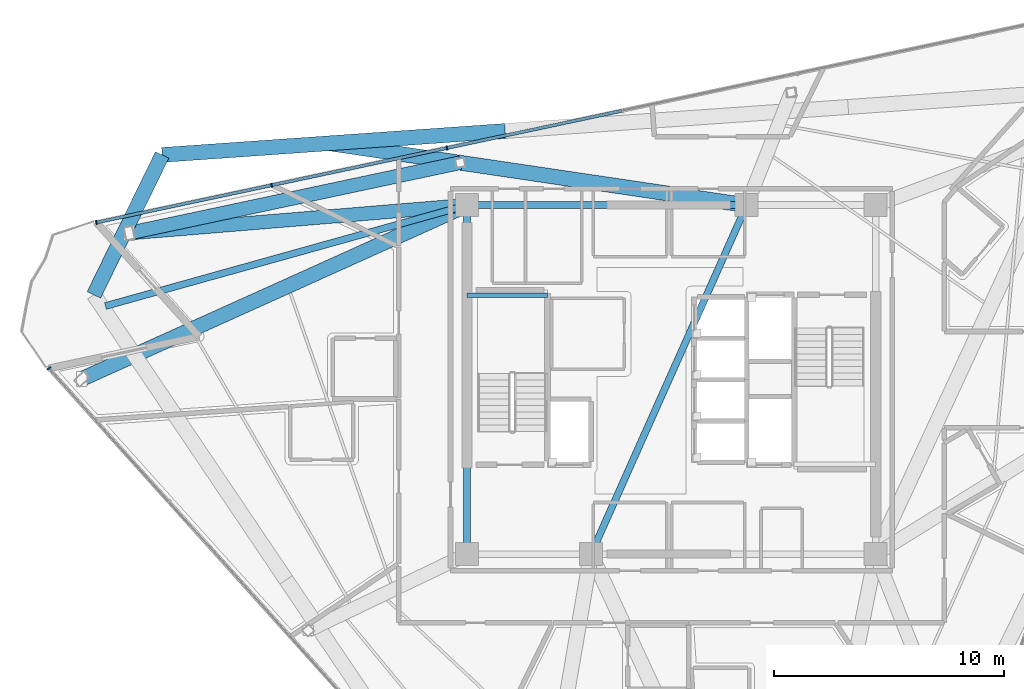
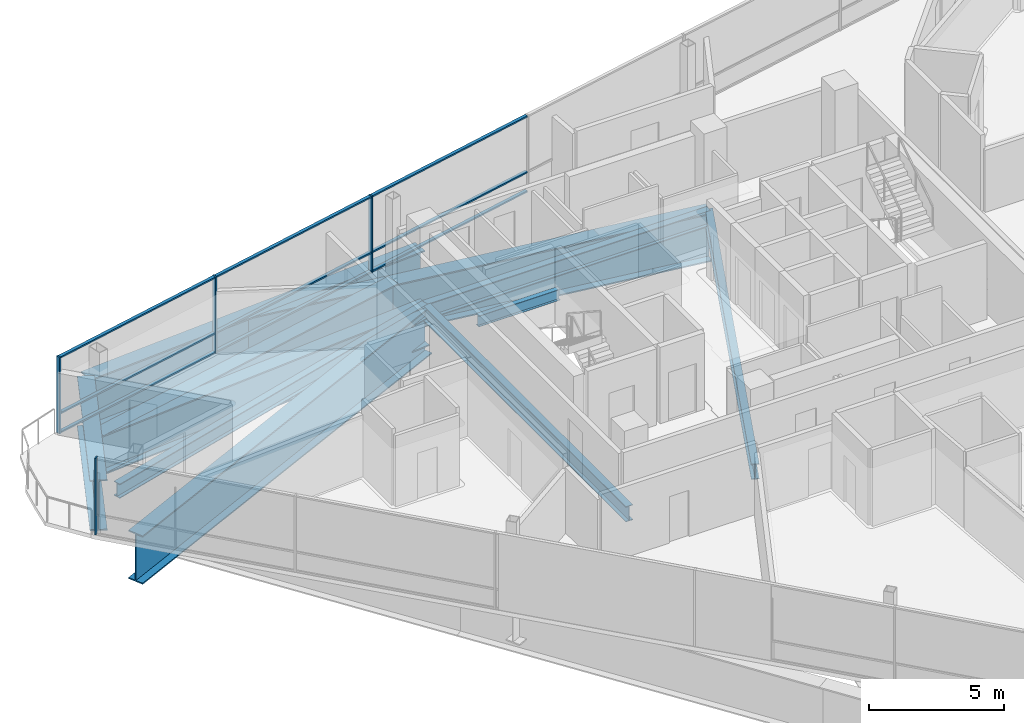
# One storey, part 6 of 18: 13 members, 11 beams, 2 elements without a shape of their own.
"""IFC4 building model written with IfcOpenShell, lengths in metres."""

from ifc_helpers import new_model, si_unit, direction, frame, origin, origin_2d, place, context, subcontext, project, spatial, rectangle, i_section, extrude, material, layer, layer_set, material_profile, profile_set, type_object, element, aggregate, save


model = new_model("IFC4")

# Units and contexts
model_context = context("Model", 3, precision=1e-05, world=origin(), true_north=direction((0.0, 1.0)))
body_context = subcontext(model_context, "Body", "Model", "MODEL_VIEW")
ifc_project = project(units=[si_unit("LENGTHUNIT", "METRE"), si_unit("AREAUNIT", "SQUARE_METRE"), si_unit("VOLUMEUNIT", "CUBIC_METRE"), si_unit("PLANEANGLEUNIT", "RADIAN"), si_unit("MASSUNIT", "GRAM", prefix="KILO")], contexts=[model_context])

# Site, building, storey
site_placement = place(None, origin())
site = spatial("IfcSite", under=ifc_project, at=site_placement, CompositionType="ELEMENT")
building_placement = place(site_placement, origin())
building = spatial("IfcBuilding", under=site, at=building_placement, Name="Tharavind Bronze Gate", CompositionType="ELEMENT")
storey_placement = place(building_placement, frame((0.0, 0.0, 279.75)))
storey = spatial("IfcBuildingStorey", under=building, at=storey_placement, Name="L72", CompositionType="ELEMENT", Elevation=279.75)

# Curtain wall, member
ifc_material_1 = material(Name="Anodised Bronze Aluminium", Category="aluminium")
ifc_layer = layer(ifc_material_1, 0.219970703125)
ifc_layer_set = layer_set([ifc_layer], Name="Anodised Bronze Aluminium")
curtain_wall_type = type_object("IfcCurtainWallType", Name="UNITISED CURTAIN WALL CROWN", PredefinedType="USERDEFINED", material=ifc_layer_set)
curtain_wall_1_placement = place(storey_placement, origin())
curtain_wall_1 = element("IfcCurtainWall", 1, at=curtain_wall_1_placement, inside=storey, type_object=curtain_wall_type, Name="L72 unitised curtain wall crown CW-L72-S1", ObjectType="UNITISED CURTAIN WALL", PredefinedType="USERDEFINED")
member_type_1 = type_object("IfcMemberType", Name="CURTAIN WALL BRONZE MULLION 65X180", PredefinedType="MULLION", material=ifc_material_1)
member_1_placement = place(storey_placement, frame((-27.105224609375, 0.4951171875, 0.0), z_axis=(0.0, 0.0, 1.0), x_axis=(0.669130606359, -0.743144825477, 0.0)))
member_1 = element("IfcMember", 2, at=member_1_placement, type_object=member_type_1, Name="CW-L72-S1 mullion 1", PredefinedType="MULLION", context=body_context, shape_type="SweptSolid", body=[
    extrude(rectangle(XDim=0.06494140625, YDim=0.179931640625, at=origin_2d()), origin(), (0.0, 0.0, 1.0), 3.465087890625),
])
aggregate(curtain_wall_1, [member_1])

# Curtain wall, members
curtain_wall_2_placement = place(storey_placement, origin())
curtain_wall_2 = element("IfcCurtainWall", 3, at=curtain_wall_2_placement, inside=storey, type_object=curtain_wall_type, Name="L72 unitised curtain wall crown CW-L72-S3", ObjectType="UNITISED CURTAIN WALL", PredefinedType="USERDEFINED")
member_2_placement = place(storey_placement, frame((-9.776611328125, 10.0927734375, 0.0), z_axis=(0.0, 0.0, 1.0), x_axis=(-0.978147237858, -0.207913398007, 0.0)))
member_2 = element("IfcMember", 4, at=member_2_placement, type_object=member_type_1, Name="CW-L72-S3 mullion 5", PredefinedType="MULLION", context=body_context, shape_type="SweptSolid", body=[
    extrude(rectangle(XDim=0.06494140625, YDim=0.179931640625, at=origin_2d()), origin(), (0.0, 0.0, 1.0), 3.465087890625),
])
member_3_placement = place(storey_placement, frame((-17.408935546875, 8.470458984375, 0.0), z_axis=(0.0, 0.0, 1.0), x_axis=(-0.978147237858, -0.207913398007, 0.0)))
member_3 = element("IfcMember", 5, at=member_3_placement, type_object=member_type_1, Name="CW-L72-S3 mullion 6", PredefinedType="MULLION", context=body_context, shape_type="SweptSolid", body=[
    extrude(rectangle(XDim=0.06494140625, YDim=0.179931640625, at=origin_2d()), origin(), (0.0, 0.0, 1.0), 3.465087890625),
])
member_4_placement = place(storey_placement, frame((-25.041015625, 6.84814453125, 0.0), z_axis=(0.0, 0.0, 1.0), x_axis=(-0.978147237858, -0.207913398007, 0.0)))
member_4 = element("IfcMember", 6, at=member_4_placement, type_object=member_type_1, Name="CW-L72-S3 mullion 7", PredefinedType="MULLION", context=body_context, shape_type="SweptSolid", body=[
    extrude(rectangle(XDim=0.06494140625, YDim=0.179931640625, at=origin_2d()), origin(), (0.0, 0.0, 1.0), 3.465087890625),
])
member_type_2 = type_object("IfcMemberType", Name="CURTAIN WALL BRONZE TRANSOM 65X140", PredefinedType="USERDEFINED", material=ifc_material_1)
member_5_placement = place(storey_placement, frame((-5.960693359375, 10.90380859375, 0.0), z_axis=(0.0, 0.0, 1.0), x_axis=(-0.978147237858, -0.207913398007, 0.0)))
member_5 = element("IfcMember", 7, at=member_5_placement, type_object=member_type_2, Name="CW-L72-S3 transom TB4", ObjectType="TRANSOM", PredefinedType="USERDEFINED", context=body_context, shape_type="SweptSolid", body=[
    extrude(rectangle(XDim=7.749755859375, YDim=0.139892578125, at=origin_2d()), origin(), (0.0, 0.0, 1.0), 0.06494140625),
])
member_6_placement = place(storey_placement, frame((-5.960693359375, 10.90380859375, 0.867431640625), z_axis=(0.0, 0.0, 1.0), x_axis=(-0.978147237858, -0.207913398007, 0.0)))
member_6 = element("IfcMember", 8, at=member_6_placement, type_object=member_type_2, Name="CW-L72-S3 transom TS4", ObjectType="TRANSOM", PredefinedType="USERDEFINED", context=body_context, shape_type="SweptSolid", body=[
    extrude(rectangle(XDim=7.749755859375, YDim=0.139892578125, at=origin_2d()), origin(), (0.0, 0.0, 1.0), 0.06494140625),
])
member_7_placement = place(storey_placement, frame((-5.960693359375, 10.90380859375, 3.400146484375), z_axis=(0.0, 0.0, 1.0), x_axis=(-0.978147237858, -0.207913398007, 0.0)))
member_7 = element("IfcMember", 9, at=member_7_placement, type_object=member_type_2, Name="CW-L72-S3 transom TT4", ObjectType="TRANSOM", PredefinedType="USERDEFINED", context=body_context, shape_type="SweptSolid", body=[
    extrude(rectangle(XDim=7.749755859375, YDim=0.139892578125, at=origin_2d()), origin(), (0.0, 0.0, 1.0), 0.06494140625),
])
member_8_placement = place(storey_placement, frame((-13.5927734375, 9.281494140625, 0.0), z_axis=(0.0, 0.0, 1.0), x_axis=(-0.978147237858, -0.207913398007, 0.0)))
member_8 = element("IfcMember", 10, at=member_8_placement, type_object=member_type_2, Name="CW-L72-S3 transom TB5", ObjectType="TRANSOM", PredefinedType="USERDEFINED", context=body_context, shape_type="SweptSolid", body=[
    extrude(rectangle(XDim=7.749755859375, YDim=0.139892578125, at=origin_2d()), origin(), (0.0, 0.0, 1.0), 0.06494140625),
])
member_9_placement = place(storey_placement, frame((-13.5927734375, 9.281494140625, 0.867431640625), z_axis=(0.0, 0.0, 1.0), x_axis=(-0.978147237858, -0.207913398007, 0.0)))
member_9 = element("IfcMember", 11, at=member_9_placement, type_object=member_type_2, Name="CW-L72-S3 transom TS5", ObjectType="TRANSOM", PredefinedType="USERDEFINED", context=body_context, shape_type="SweptSolid", body=[
    extrude(rectangle(XDim=7.749755859375, YDim=0.139892578125, at=origin_2d()), origin(), (0.0, 0.0, 1.0), 0.06494140625),
])
member_10_placement = place(storey_placement, frame((-13.5927734375, 9.281494140625, 3.400146484375), z_axis=(0.0, 0.0, 1.0), x_axis=(-0.978147237858, -0.207913398007, 0.0)))
member_10 = element("IfcMember", 12, at=member_10_placement, type_object=member_type_2, Name="CW-L72-S3 transom TT5", ObjectType="TRANSOM", PredefinedType="USERDEFINED", context=body_context, shape_type="SweptSolid", body=[
    extrude(rectangle(XDim=7.749755859375, YDim=0.139892578125, at=origin_2d()), origin(), (0.0, 0.0, 1.0), 0.06494140625),
])
member_11_placement = place(storey_placement, frame((-21.22509765625, 7.6591796875, 0.0), z_axis=(0.0, 0.0, 1.0), x_axis=(-0.978147237858, -0.207913398007, 0.0)))
member_11 = element("IfcMember", 13, at=member_11_placement, type_object=member_type_2, Name="CW-L72-S3 transom TB6", ObjectType="TRANSOM", PredefinedType="USERDEFINED", context=body_context, shape_type="SweptSolid", body=[
    extrude(rectangle(XDim=7.749755859375, YDim=0.139892578125, at=origin_2d()), origin(), (0.0, 0.0, 1.0), 0.06494140625),
])
member_12_placement = place(storey_placement, frame((-21.22509765625, 7.6591796875, 0.867431640625), z_axis=(0.0, 0.0, 1.0), x_axis=(-0.978147237858, -0.207913398007, 0.0)))
member_12 = element("IfcMember", 14, at=member_12_placement, type_object=member_type_2, Name="CW-L72-S3 transom TS6", ObjectType="TRANSOM", PredefinedType="USERDEFINED", context=body_context, shape_type="SweptSolid", body=[
    extrude(rectangle(XDim=7.749755859375, YDim=0.139892578125, at=origin_2d()), origin(), (0.0, 0.0, 1.0), 0.06494140625),
])
member_13_placement = place(storey_placement, frame((-21.22509765625, 7.6591796875, 3.400146484375), z_axis=(0.0, 0.0, 1.0), x_axis=(-0.978147237858, -0.207913398007, 0.0)))
member_13 = element("IfcMember", 15, at=member_13_placement, type_object=member_type_2, Name="CW-L72-S3 transom TT6", ObjectType="TRANSOM", PredefinedType="USERDEFINED", context=body_context, shape_type="SweptSolid", body=[
    extrude(rectangle(XDim=7.749755859375, YDim=0.139892578125, at=origin_2d()), origin(), (0.0, 0.0, 1.0), 0.06494140625),
])
aggregate(curtain_wall_2, [member_2, member_3, member_4, member_5, member_6, member_7, member_8, member_9, member_10, member_11, member_12, member_13])

# Beams
ifc_material_2 = material(Name="Steel S355", Category="steel")
ifc_material_profile_1 = material_profile(ifc_material_2, i_section(OverallWidth=0.300048828125, OverallDepth=0.64990234375, WebThickness=0.01611328125, FlangeThickness=0.031005859375, at=origin_2d()), Name="HE650B")
ifc_profile_set_1 = profile_set([ifc_material_profile_1], Name="Steel S355")
beam_type_1 = type_object("IfcBeamType", Name="PRIMARY GIRDER HE650B", PredefinedType="USERDEFINED", material=ifc_profile_set_1)
beam_1_placement = place(storey_placement, frame((-8.89990234375, 7.60009765625, -0.514892578125), z_axis=(-0.963236664958, -0.268654289527, 0.0), x_axis=(0.268654289527, -0.963236664958, 0.0)))
element("IfcBeam", 16, at=beam_1_placement, inside=storey, type_object=beam_type_1, Name="L72 primary girder he650b BM-L72-BLCSB", ObjectType="GIRDER", PredefinedType="USERDEFINED", context=body_context, shape_type="SweptSolid", body=[
    extrude(i_section(OverallWidth=0.300048828125, OverallDepth=0.64990234375, WebThickness=0.01611328125, FlangeThickness=0.031005859375, at=origin_2d()), origin(), (0.0, 0.0, 1.0), 16.34765625),
])
ifc_material_profile_2 = material_profile(ifc_material_2, i_section(OverallWidth=0.199951171875, OverallDepth=0.5, WebThickness=0.01025390625, FlangeThickness=0.01611328125, at=origin_2d()), Name="IPE500")
ifc_profile_set_2 = profile_set([ifc_material_profile_2], Name="Steel S355")
beam_type_2 = type_object("IfcBeamType", Name="PRIMARY GIRDER IPE500", PredefinedType="USERDEFINED", material=ifc_profile_set_2)
beam_2_placement = place(storey_placement, frame((-8.89990234375, 3.679931640625, 1.375), z_axis=(1.0, 0.0, 0.0), x_axis=(0.0, 1.0, 0.0)))
element("IfcBeam", 17, at=beam_2_placement, inside=storey, type_object=beam_type_2, Name="L72 primary girder ipe500 BM-LD-ST1-L72-1", ObjectType="GIRDER", PredefinedType="USERDEFINED", context=body_context, shape_type="SweptSolid", body=[
    extrude(i_section(OverallWidth=0.199951171875, OverallDepth=0.5, WebThickness=0.01025390625, FlangeThickness=0.01611328125, at=origin_2d()), origin(), (0.0, 0.0, 1.0), 3.5),
])
ifc_material_profile_3 = material_profile(ifc_material_2, i_section(OverallWidth=0.300048828125, OverallDepth=0.699951171875, WebThickness=0.01708984375, FlangeThickness=0.031982421875, at=origin_2d()), Name="HE700B")
ifc_profile_set_3 = profile_set([ifc_material_profile_3], Name="Steel S355")
beam_type_3 = type_object("IfcBeamType", Name="RING GIRDER HE700B", PredefinedType="USERDEFINED", material=ifc_profile_set_3)
beam_3_placement = place(storey_placement, frame((3.280029296875, 7.60009765625, -0.5400390625), z_axis=(-1.0, 0.0, 0.0), x_axis=(0.0, -1.0, 0.0)))
element("IfcBeam", 18, at=beam_3_placement, inside=storey, type_object=beam_type_3, Name="L72 ring girder he700b BM-L72-CR5", ObjectType="GIRDER", PredefinedType="USERDEFINED", context=body_context, shape_type="SweptSolid", body=[
    extrude(i_section(OverallWidth=0.300048828125, OverallDepth=0.699951171875, WebThickness=0.01708984375, FlangeThickness=0.031982421875, at=origin_2d()), origin(), (0.0, 0.0, 1.0), 12.179931640625),
])
beam_4_placement = place(storey_placement, frame((-8.89990234375, 7.60009765625, -0.5400390625), z_axis=(0.0, -1.0, 0.0), x_axis=(1.0, 0.0, 0.0)))
element("IfcBeam", 19, at=beam_4_placement, inside=storey, type_object=beam_type_3, Name="L72 ring girder he700b BM-L72-CR6", ObjectType="GIRDER", PredefinedType="USERDEFINED", context=body_context, shape_type="SweptSolid", body=[
    extrude(i_section(OverallWidth=0.300048828125, OverallDepth=0.699951171875, WebThickness=0.01708984375, FlangeThickness=0.031982421875, at=origin_2d()), origin(), (0.0, 0.0, 1.0), 15.2001953125),
])
beam_5_placement = place(storey_placement, frame((-3.5, -7.60009765625, -0.5400390625), z_axis=(0.407361644566, 0.913266932795, 0.0), x_axis=(-0.913266932795, 0.407361644566, 0.0)))
element("IfcBeam", 20, at=beam_5_placement, inside=storey, type_object=beam_type_3, Name="L72 ring girder he700b BM-L72-CR7", ObjectType="GIRDER", PredefinedType="USERDEFINED", context=body_context, shape_type="SweptSolid", body=[
    extrude(i_section(OverallWidth=0.300048828125, OverallDepth=0.699951171875, WebThickness=0.01708984375, FlangeThickness=0.031982421875, at=origin_2d()), origin(), (0.0, 0.0, 1.0), 16.643798828125),
])
ifc_material_3 = material(Name="Steel S460", Category="steel")
ifc_material_profile_4 = material_profile(ifc_material_3, i_section(OverallWidth=0.60009765625, OverallDepth=1.800048828125, WebThickness=0.031982421875, FlangeThickness=0.054931640625, at=origin_2d()), Name="PG1800X600")
ifc_profile_set_4 = profile_set([ifc_material_profile_4], Name="Steel S460")
beam_type_4 = type_object("IfcBeamType", Name="TRANSFER GIRDER 1800X600", PredefinedType="USERDEFINED", material=ifc_profile_set_4)
beam_6_placement = place(storey_placement, frame((-9.197265625, 9.44921875, -1.090087890625), z_axis=(-0.97814794647, -0.207910064249, 0.0), x_axis=(0.207910064249, -0.97814794647, 0.0)))
element("IfcBeam", 21, at=beam_6_placement, inside=storey, type_object=beam_type_4, Name="L72 transfer girder 1800x600 BM-L72-URG11", ObjectType="TRANSFER GIRDER", PredefinedType="USERDEFINED", context=body_context, shape_type="SweptSolid", body=[
    extrude(i_section(OverallWidth=0.60009765625, OverallDepth=1.800048828125, WebThickness=0.031982421875, FlangeThickness=0.054931640625, at=origin_2d()), origin(), (0.0, 0.0, 1.0), 14.7392578125),
])
beam_7_placement = place(storey_placement, frame((-8.89990234375, 7.60009765625, -1.090087890625), z_axis=(-0.996606114358, -0.082317998176, 0.0), x_axis=(0.082317998176, -0.996606114358, 0.0)))
element("IfcBeam", 22, at=beam_7_placement, inside=storey, type_object=beam_type_4, Name="L72 transfer girder 1800x600 BM-L72-XFR12", ObjectType="TRANSFER GIRDER", PredefinedType="USERDEFINED", context=body_context, shape_type="SweptSolid", body=[
    extrude(i_section(OverallWidth=0.60009765625, OverallDepth=1.800048828125, WebThickness=0.031982421875, FlangeThickness=0.054931640625, at=origin_2d()), origin(), (0.0, 0.0, 1.0), 14.998046875),
])
ifc_material_profile_5 = material_profile(ifc_material_3, i_section(OverallWidth=0.64990234375, OverallDepth=2.199951171875, WebThickness=0.035888671875, FlangeThickness=0.054931640625, at=origin_2d()), Name="PG2200X650")
ifc_profile_set_5 = profile_set([ifc_material_profile_5], Name="Steel S460")
beam_type_5 = type_object("IfcBeamType", Name="TRANSFER GIRDER 2200X650", PredefinedType="USERDEFINED", material=ifc_profile_set_5)
beam_8_placement = place(storey_placement, frame((-8.89990234375, 7.60009765625, -1.2900390625), z_axis=(-0.911557320277, -0.411173019361, 0.0), x_axis=(0.411173019361, -0.911557320277, 0.0)))
element("IfcBeam", 23, at=beam_8_placement, inside=storey, type_object=beam_type_5, Name="L72 transfer girder 2200x650 BM-L72-XFR01", ObjectType="TRANSFER GIRDER", PredefinedType="USERDEFINED", context=body_context, shape_type="SweptSolid", body=[
    extrude(i_section(OverallWidth=0.64990234375, OverallDepth=2.199951171875, WebThickness=0.035888671875, FlangeThickness=0.054931640625, at=origin_2d()), origin(), (0.0, 0.0, 1.0), 18.40673828125),
])
beam_9_placement = place(storey_placement, frame((3.280029296875, 7.60009765625, -1.2900390625), z_axis=(-0.989196334267, 0.146596767607, 0.0), x_axis=(-0.146596767607, -0.989196334267, 0.0)))
element("IfcBeam", 24, at=beam_9_placement, inside=storey, type_object=beam_type_5, Name="L72 transfer girder 2200x650 BM-L72-XFR11", ObjectType="TRANSFER GIRDER", PredefinedType="USERDEFINED", context=body_context, shape_type="SweptSolid", body=[
    extrude(i_section(OverallWidth=0.64990234375, OverallDepth=2.199951171875, WebThickness=0.035888671875, FlangeThickness=0.054931640625, at=origin_2d()), origin(), (0.0, 0.0, 1.0), 18.392578125),
])
ifc_material_profile_6 = material_profile(ifc_material_3, i_section(OverallWidth=0.64990234375, OverallDepth=2.300048828125, WebThickness=0.035888671875, FlangeThickness=0.05810546875, at=origin_2d()), Name="PG2300X650")
ifc_profile_set_6 = profile_set([ifc_material_profile_6], Name="Steel S460")
beam_type_6 = type_object("IfcBeamType", Name="TRANSFER GIRDER 2300X650", PredefinedType="USERDEFINED", material=ifc_profile_set_6)
beam_10_placement = place(storey_placement, frame((-7.239501953125, 10.8330078125, -1.340087890625), z_axis=(-0.997564665038, -0.069747681447, 0.0), x_axis=(0.069747681447, -0.997564665038, 0.0)))
element("IfcBeam", 25, at=beam_10_placement, inside=storey, type_object=beam_type_6, Name="L72 transfer girder 2300x650 BM-L72-LRG11", ObjectType="TRANSFER GIRDER", PredefinedType="USERDEFINED", context=body_context, shape_type="SweptSolid", body=[
    extrude(i_section(OverallWidth=0.64990234375, OverallDepth=2.300048828125, WebThickness=0.035888671875, FlangeThickness=0.05810546875, at=origin_2d()), origin(), (0.0, 0.0, 1.0), 14.974365234375),
])
beam_11_placement = place(storey_placement, frame((-22.177490234375, 9.78857421875, -1.340087890625), z_axis=(-0.438391707719, -0.898784017772, 0.0), x_axis=(0.898784017772, -0.438391707719, 0.0)))
element("IfcBeam", 26, at=beam_11_placement, inside=storey, type_object=beam_type_6, Name="L72 transfer girder 2300x650 BM-L72-LRG12", ObjectType="TRANSFER GIRDER", PredefinedType="USERDEFINED", context=body_context, shape_type="SweptSolid", body=[
    extrude(i_section(OverallWidth=0.64990234375, OverallDepth=2.300048828125, WebThickness=0.035888671875, FlangeThickness=0.05810546875, at=origin_2d()), origin(), (0.0, 0.0, 1.0), 6.7802734375),
])

save(model, "model.ifc")
